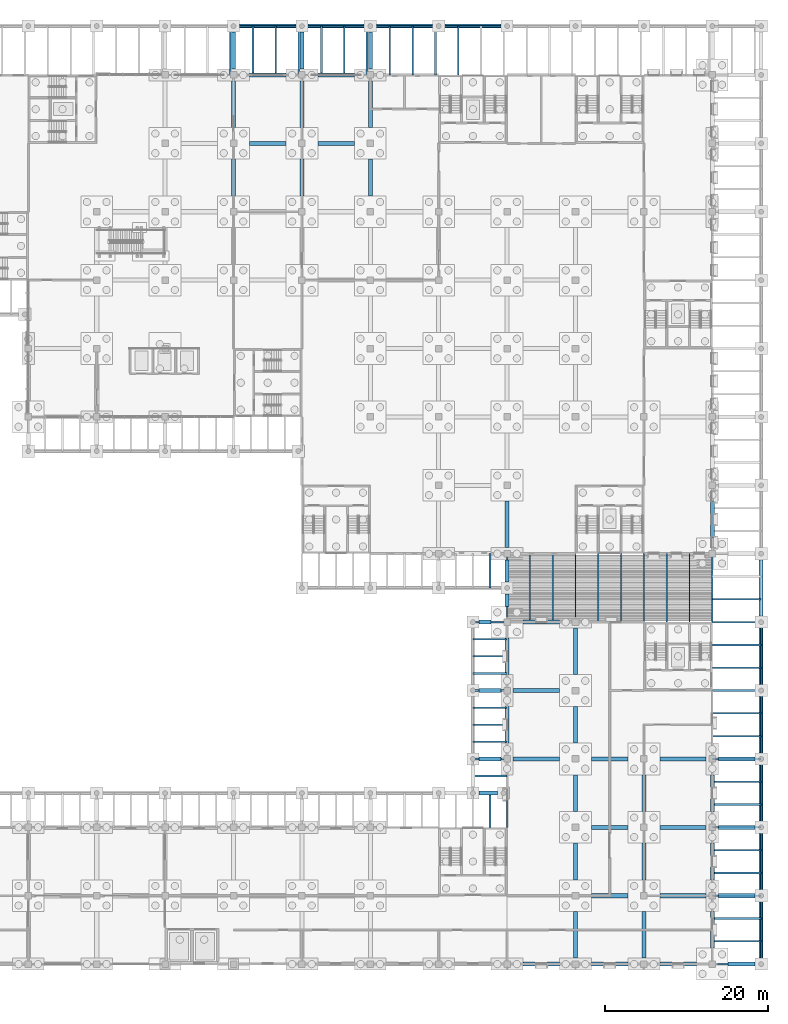
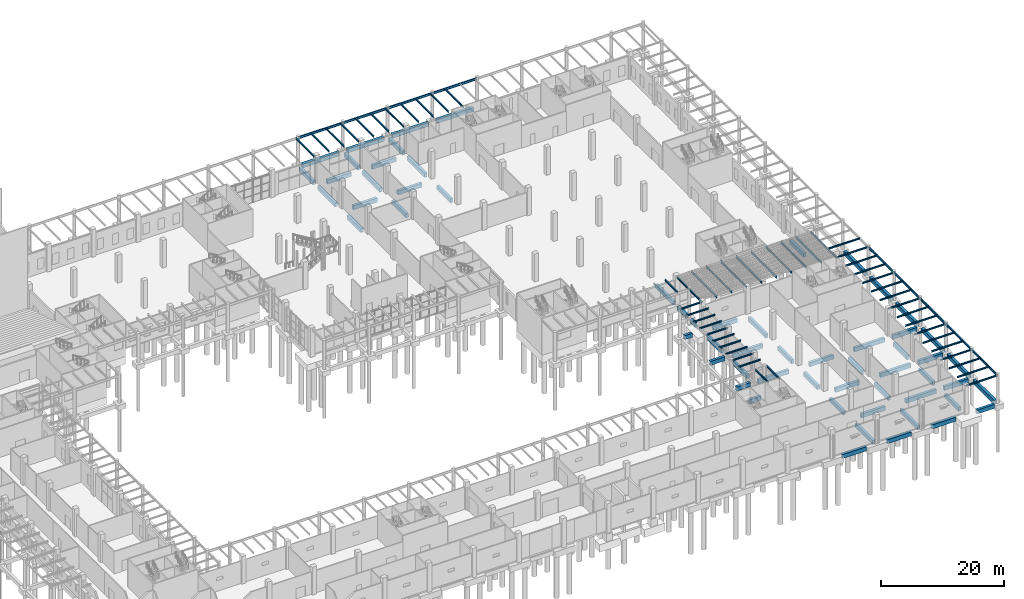
# One storey, part 19 of 82: 79 beams, 41 members.
"""IFC4 building model written with IfcOpenShell, lengths in metres."""

from ifc_helpers import new_model, si_unit, direction, frame, origin, origin_2d, place, context, subcontext, project, spatial, rectangle, i_section, extrude, material, material_profile, profile_set, type_object, element, save


model = new_model("IFC4")

# Units and contexts
model_context = context("Model", 3, precision=1e-05, world=origin(), true_north=direction((0.0, 1.0)))
body_context = subcontext(model_context, "Body", "Model", "MODEL_VIEW")
ifc_project = project(units=[si_unit("LENGTHUNIT", "METRE"), si_unit("AREAUNIT", "SQUARE_METRE"), si_unit("VOLUMEUNIT", "CUBIC_METRE"), si_unit("PLANEANGLEUNIT", "RADIAN"), si_unit("MASSUNIT", "GRAM", prefix="KILO")], contexts=[model_context])

# Site, building, storey
site_placement = place(None, origin())
site = spatial("IfcSite", under=ifc_project, at=site_placement, CompositionType="ELEMENT")
building_placement = place(site_placement, origin())
building = spatial("IfcBuilding", under=site, at=building_placement, Name="Almond Square Museum", CompositionType="ELEMENT")
storey_placement = place(building_placement, origin())
storey = spatial("IfcBuildingStorey", under=building, at=storey_placement, Name="L00", CompositionType="ELEMENT", Elevation=0.0)

# Beams
ifc_material_1 = material(Name="Structural steel S355", Category="steel")
ifc_material_profile_1 = material_profile(ifc_material_1, i_section(OverallWidth=0.19091796875, OverallDepth=0.45703125, WebThickness=0.009033203125, FlangeThickness=0.014404296875, at=origin_2d()))
ifc_profile_set_1 = profile_set([ifc_material_profile_1], Name="Structural steel S355")
beam_type_1 = type_object("IfcBeamType", Name="Eave beam W460x74", PredefinedType="BEAM", material=ifc_profile_set_1)
beam_1_placement = place(storey_placement, frame((98.39990234375, 115.199951171875, 5.021484375), z_axis=(1.0, 0.0, 0.0), x_axis=(0.0, 1.0, 0.0)))
element("IfcBeam", 1, at=beam_1_placement, inside=storey, type_object=beam_type_1, Name="ARN roof edge beam 13", PredefinedType="BEAM", context=body_context, shape_type="SweptSolid", body=[
    extrude(i_section(OverallWidth=0.19091796875, OverallDepth=0.45703125, WebThickness=0.009033203125, FlangeThickness=0.014404296875, at=origin_2d()), origin(), (0.0, 0.0, 1.0), 8.400146484375),
])
beam_2_placement = place(storey_placement, frame((106.800048828125, 115.199951171875, 5.021484375), z_axis=(1.0, 0.0, 0.0), x_axis=(0.0, 1.0, 0.0)))
element("IfcBeam", 2, at=beam_2_placement, inside=storey, type_object=beam_type_1, Name="ARN roof edge beam 14", PredefinedType="BEAM", context=body_context, shape_type="SweptSolid", body=[
    extrude(i_section(OverallWidth=0.19091796875, OverallDepth=0.45703125, WebThickness=0.009033203125, FlangeThickness=0.014404296875, at=origin_2d()), origin(), (0.0, 0.0, 1.0), 8.39990234375),
])
beam_3_placement = place(storey_placement, frame((115.199951171875, 115.199951171875, 5.021484375), z_axis=(1.0, 0.0, 0.0), x_axis=(0.0, 1.0, 0.0)))
element("IfcBeam", 3, at=beam_3_placement, inside=storey, type_object=beam_type_1, Name="ARN roof edge beam 15", PredefinedType="BEAM", context=body_context, shape_type="SweptSolid", body=[
    extrude(i_section(OverallWidth=0.19091796875, OverallDepth=0.45703125, WebThickness=0.009033203125, FlangeThickness=0.014404296875, at=origin_2d()), origin(), (0.0, 0.0, 1.0), 8.400146484375),
])
for number, where, z_axis, x_axis, name in (
    (4, (123.60009765625, 115.199951171875, 5.021484375), (1.0, 0.0, 0.0), (0.0, 1.0, 0.0), "ARN roof edge beam 16"),
    (5, (163.199951171875, 0.0, 5.021484375), (0.0, 1.0, 0.0), (-1.0, 0.0, 0.0), "ARE roof edge beam 1"),
):
    element("IfcBeam", number, at=place(storey_placement, frame(where, z_axis=z_axis, x_axis=x_axis)), inside=storey, type_object=beam_type_1, Name=name, PredefinedType="BEAM", context=body_context, shape_type="SweptSolid", body=[
        extrude(i_section(OverallWidth=0.19091796875, OverallDepth=0.45703125, WebThickness=0.009033203125, FlangeThickness=0.014404296875, at=origin_2d()), origin(), (0.0, 0.0, 1.0), 8.39990234375),
    ])
beam_4_placement = place(storey_placement, frame((163.199951171875, 8.39990234375, 5.021484375), z_axis=(0.0, 1.0, 0.0), x_axis=(-1.0, 0.0, 0.0)))
element("IfcBeam", 6, at=beam_4_placement, inside=storey, type_object=beam_type_1, Name="ARE roof edge beam 2", PredefinedType="BEAM", context=body_context, shape_type="SweptSolid", body=[
    extrude(i_section(OverallWidth=0.19091796875, OverallDepth=0.45703125, WebThickness=0.009033203125, FlangeThickness=0.014404296875, at=origin_2d()), origin(), (0.0, 0.0, 1.0), 8.400146484375),
])
beam_5_placement = place(storey_placement, frame((163.199951171875, 16.800048828125, 5.021484375), z_axis=(0.0, 1.0, 0.0), x_axis=(-1.0, 0.0, 0.0)))
element("IfcBeam", 7, at=beam_5_placement, inside=storey, type_object=beam_type_1, Name="ARE roof edge beam 3", PredefinedType="BEAM", context=body_context, shape_type="SweptSolid", body=[
    extrude(i_section(OverallWidth=0.19091796875, OverallDepth=0.45703125, WebThickness=0.009033203125, FlangeThickness=0.014404296875, at=origin_2d()), origin(), (0.0, 0.0, 1.0), 8.39990234375),
])
beam_6_placement = place(storey_placement, frame((163.199951171875, 25.199951171875, 5.021484375), z_axis=(0.0, 1.0, 0.0), x_axis=(-1.0, 0.0, 0.0)))
element("IfcBeam", 8, at=beam_6_placement, inside=storey, type_object=beam_type_1, Name="ARE roof edge beam 4", PredefinedType="BEAM", context=body_context, shape_type="SweptSolid", body=[
    extrude(i_section(OverallWidth=0.19091796875, OverallDepth=0.45703125, WebThickness=0.009033203125, FlangeThickness=0.014404296875, at=origin_2d()), origin(), (0.0, 0.0, 1.0), 8.400146484375),
])
beam_7_placement = place(storey_placement, frame((163.199951171875, 33.60009765625, 5.021484375), z_axis=(0.0, 1.0, 0.0), x_axis=(-1.0, 0.0, 0.0)))
element("IfcBeam", 9, at=beam_7_placement, inside=storey, type_object=beam_type_1, Name="ARE roof edge beam 5", PredefinedType="BEAM", context=body_context, shape_type="SweptSolid", body=[
    extrude(i_section(OverallWidth=0.19091796875, OverallDepth=0.45703125, WebThickness=0.009033203125, FlangeThickness=0.014404296875, at=origin_2d()), origin(), (0.0, 0.0, 1.0), 8.39990234375),
])
ifc_material_2 = material(Name="Concrete C35/45", Category="concrete")
ifc_material_profile_2 = material_profile(ifc_material_2, rectangle(XDim=0.5, YDim=0.800048828125, at=origin_2d()))
ifc_profile_set_2 = profile_set([ifc_material_profile_2], Name="Concrete C35/45")
beam_type_2 = type_object("IfcBeamType", Name="RC ground beam 500 x 800 C35/45", PredefinedType="BEAM", material=ifc_profile_set_2)
for number, where, z_axis, x_axis, name in (
    (10, (133.949951171875, 0.0, -0.699951171875), (1.0, 0.0, 0.0), (0.0, 1.0, 0.0), "Ground beam 011"),
    (11, (142.35009765625, 0.0, -0.699951171875), (1.0, 0.0, 0.0), (0.0, 1.0, 0.0), "Ground beam 012"),
    (12, (150.75, 0.0, -0.699951171875), (1.0, 0.0, 0.0), (0.0, 1.0, 0.0), "Ground beam 013"),
):
    element("IfcBeam", number, at=place(storey_placement, frame(where, z_axis=z_axis, x_axis=x_axis)), inside=storey, type_object=beam_type_2, Name=name, PredefinedType="BEAM", context=body_context, shape_type="SweptSolid", body=[
        extrude(rectangle(XDim=0.5, YDim=0.800048828125, at=origin_2d()), origin(), (0.0, 0.0, 1.0), 4.5),
    ])
beam_8_placement = place(storey_placement, frame((159.14990234375, 0.0, -0.699951171875), z_axis=(1.0, 0.0, 0.0), x_axis=(0.0, 1.0, 0.0)))
element("IfcBeam", 13, at=beam_8_placement, inside=storey, type_object=beam_type_2, Name="Ground beam 014", PredefinedType="BEAM", context=body_context, shape_type="SweptSolid", body=[
    extrude(rectangle(XDim=0.5, YDim=0.800048828125, at=origin_2d()), origin(), (0.0, 0.0, 1.0), 3.300048828125),
])
beam_9_placement = place(storey_placement, frame((142.35009765625, 8.39990234375, -0.699951171875), z_axis=(1.0, 0.0, 0.0), x_axis=(0.0, 1.0, 0.0)))
element("IfcBeam", 14, at=beam_9_placement, inside=storey, type_object=beam_type_2, Name="Ground beam 023", PredefinedType="BEAM", context=body_context, shape_type="SweptSolid", body=[
    extrude(rectangle(XDim=0.5, YDim=0.800048828125, at=origin_2d()), origin(), (0.0, 0.0, 1.0), 4.5),
])
beam_10_placement = place(storey_placement, frame((150.75, 8.39990234375, -0.699951171875), z_axis=(1.0, 0.0, 0.0), x_axis=(0.0, 1.0, 0.0)))
element("IfcBeam", 15, at=beam_10_placement, inside=storey, type_object=beam_type_2, Name="Ground beam 024", PredefinedType="BEAM", context=body_context, shape_type="SweptSolid", body=[
    extrude(rectangle(XDim=0.5, YDim=0.800048828125, at=origin_2d()), origin(), (0.0, 0.0, 1.0), 5.699951171875),
])
for number, where, z_axis, x_axis, name in (
    (16, (157.949951171875, 8.39990234375, -0.699951171875), (1.0, 0.0, 0.0), (0.0, 1.0, 0.0), "Ground beam 025"),
    (17, (142.35009765625, 16.800048828125, -0.699951171875), (1.0, 0.0, 0.0), (0.0, 1.0, 0.0), "Ground beam 034"),
):
    element("IfcBeam", number, at=place(storey_placement, frame(where, z_axis=z_axis, x_axis=x_axis)), inside=storey, type_object=beam_type_2, Name=name, PredefinedType="BEAM", context=body_context, shape_type="SweptSolid", body=[
        extrude(rectangle(XDim=0.5, YDim=0.800048828125, at=origin_2d()), origin(), (0.0, 0.0, 1.0), 4.5),
    ])
beam_11_placement = place(storey_placement, frame((150.75, 16.800048828125, -0.699951171875), z_axis=(1.0, 0.0, 0.0), x_axis=(0.0, 1.0, 0.0)))
element("IfcBeam", 18, at=beam_11_placement, inside=storey, type_object=beam_type_2, Name="Ground beam 035", PredefinedType="BEAM", context=body_context, shape_type="SweptSolid", body=[
    extrude(rectangle(XDim=0.5, YDim=0.800048828125, at=origin_2d()), origin(), (0.0, 0.0, 1.0), 5.699951171875),
])
beam_12_placement = place(storey_placement, frame((157.949951171875, 16.800048828125, -0.699951171875), z_axis=(1.0, 0.0, 0.0), x_axis=(0.0, 1.0, 0.0)))
element("IfcBeam", 19, at=beam_12_placement, inside=storey, type_object=beam_type_2, Name="Ground beam 036", PredefinedType="BEAM", context=body_context, shape_type="SweptSolid", body=[
    extrude(rectangle(XDim=0.5, YDim=0.800048828125, at=origin_2d()), origin(), (0.0, 0.0, 1.0), 4.5),
])
beam_13_placement = place(storey_placement, frame((128.550048828125, 21.0, -0.699951171875), z_axis=(1.0, 0.0, 0.0), x_axis=(0.0, 1.0, 0.0)))
element("IfcBeam", 20, at=beam_13_placement, inside=storey, type_object=beam_type_2, Name="Ground beam 050", PredefinedType="BEAM", context=body_context, shape_type="SweptSolid", body=[
    extrude(rectangle(XDim=0.5, YDim=0.800048828125, at=origin_2d()), origin(), (0.0, 0.0, 1.0), 2.25),
])
beam_14_placement = place(storey_placement, frame((128.550048828125, 25.199951171875, -0.699951171875), z_axis=(1.0, 0.0, 0.0), x_axis=(0.0, 1.0, 0.0)))
element("IfcBeam", 21, at=beam_14_placement, inside=storey, type_object=beam_type_2, Name="Ground beam 052", PredefinedType="BEAM", context=body_context, shape_type="SweptSolid", body=[
    extrude(rectangle(XDim=0.5, YDim=0.800048828125, at=origin_2d()), origin(), (0.0, 0.0, 1.0), 2.699951171875),
])
beam_15_placement = place(storey_placement, frame((132.75, 25.199951171875, -0.699951171875), z_axis=(1.0, 0.0, 0.0), x_axis=(0.0, 1.0, 0.0)))
element("IfcBeam", 22, at=beam_15_placement, inside=storey, type_object=beam_type_2, Name="Ground beam 053", PredefinedType="BEAM", context=body_context, shape_type="SweptSolid", body=[
    extrude(rectangle(XDim=0.5, YDim=0.800048828125, at=origin_2d()), origin(), (0.0, 0.0, 1.0), 5.699951171875),
])
beam_16_placement = place(storey_placement, frame((142.35009765625, 25.199951171875, -0.699951171875), z_axis=(1.0, 0.0, 0.0), x_axis=(0.0, 1.0, 0.0)))
element("IfcBeam", 23, at=beam_16_placement, inside=storey, type_object=beam_type_2, Name="Ground beam 054", PredefinedType="BEAM", context=body_context, shape_type="SweptSolid", body=[
    extrude(rectangle(XDim=0.5, YDim=0.800048828125, at=origin_2d()), origin(), (0.0, 0.0, 1.0), 4.5),
])
beam_17_placement = place(storey_placement, frame((150.75, 25.199951171875, -0.699951171875), z_axis=(1.0, 0.0, 0.0), x_axis=(0.0, 1.0, 0.0)))
element("IfcBeam", 24, at=beam_17_placement, inside=storey, type_object=beam_type_2, Name="Ground beam 055", PredefinedType="BEAM", context=body_context, shape_type="SweptSolid", body=[
    extrude(rectangle(XDim=0.5, YDim=0.800048828125, at=origin_2d()), origin(), (0.0, 0.0, 1.0), 5.699951171875),
])
beam_18_placement = place(storey_placement, frame((157.949951171875, 25.199951171875, -0.699951171875), z_axis=(1.0, 0.0, 0.0), x_axis=(0.0, 1.0, 0.0)))
element("IfcBeam", 25, at=beam_18_placement, inside=storey, type_object=beam_type_2, Name="Ground beam 056", PredefinedType="BEAM", context=body_context, shape_type="SweptSolid", body=[
    extrude(rectangle(XDim=0.5, YDim=0.800048828125, at=origin_2d()), origin(), (0.0, 0.0, 1.0), 4.5),
])
beam_19_placement = place(storey_placement, frame((128.550048828125, 33.60009765625, -0.699951171875), z_axis=(1.0, 0.0, 0.0), x_axis=(0.0, 1.0, 0.0)))
element("IfcBeam", 26, at=beam_19_placement, inside=storey, type_object=beam_type_2, Name="Ground beam 061", PredefinedType="BEAM", context=body_context, shape_type="SweptSolid", body=[
    extrude(rectangle(XDim=0.5, YDim=0.800048828125, at=origin_2d()), origin(), (0.0, 0.0, 1.0), 2.699951171875),
])
beam_20_placement = place(storey_placement, frame((132.75, 33.60009765625, -0.699951171875), z_axis=(1.0, 0.0, 0.0), x_axis=(0.0, 1.0, 0.0)))
element("IfcBeam", 27, at=beam_20_placement, inside=storey, type_object=beam_type_2, Name="Ground beam 062", PredefinedType="BEAM", context=body_context, shape_type="SweptSolid", body=[
    extrude(rectangle(XDim=0.5, YDim=0.800048828125, at=origin_2d()), origin(), (0.0, 0.0, 1.0), 5.699951171875),
])
beam_21_placement = place(storey_placement, frame((128.550048828125, 42.0, -0.699951171875), z_axis=(1.0, 0.0, 0.0), x_axis=(0.0, 1.0, 0.0)))
element("IfcBeam", 28, at=beam_21_placement, inside=storey, type_object=beam_type_2, Name="Ground beam 067", PredefinedType="BEAM", context=body_context, shape_type="SweptSolid", body=[
    extrude(rectangle(XDim=0.5, YDim=0.800048828125, at=origin_2d()), origin(), (0.0, 0.0, 1.0), 1.5),
])
for number, where, z_axis, x_axis, name in (
    (29, (133.949951171875, 42.0, -0.699951171875), (1.0, 0.0, 0.0), (0.0, 1.0, 0.0), "Ground beam 068"),
    (30, (100.35009765625, 100.800048828125, -0.699951171875), (1.0, 0.0, 0.0), (0.0, 1.0, 0.0), "Ground beam 129"),
    (31, (108.75, 100.800048828125, -0.699951171875), (1.0, 0.0, 0.0), (0.0, 1.0, 0.0), "Ground beam 130"),
    (32, (100.35009765625, 109.199951171875, -0.699951171875), (1.0, 0.0, 0.0), (0.0, 1.0, 0.0), "Ground beam 141"),
    (33, (108.75, 109.199951171875, -0.699951171875), (1.0, 0.0, 0.0), (0.0, 1.0, 0.0), "Ground beam 142"),
):
    element("IfcBeam", number, at=place(storey_placement, frame(where, z_axis=z_axis, x_axis=x_axis)), inside=storey, type_object=beam_type_2, Name=name, PredefinedType="BEAM", context=body_context, shape_type="SweptSolid", body=[
        extrude(rectangle(XDim=0.5, YDim=0.800048828125, at=origin_2d()), origin(), (0.0, 0.0, 1.0), 4.5),
    ])
beam_22_placement = place(storey_placement, frame((99.14990234375, 115.199951171875, -0.699951171875), z_axis=(1.0, 0.0, 0.0), x_axis=(0.0, 1.0, 0.0)))
element("IfcBeam", 34, at=beam_22_placement, inside=storey, type_object=beam_type_2, Name="Ground beam 156", PredefinedType="BEAM", context=body_context, shape_type="SweptSolid", body=[
    extrude(rectangle(XDim=0.5, YDim=0.800048828125, at=origin_2d()), origin(), (0.0, 0.0, 1.0), 6.900146484375),
])
beam_23_placement = place(storey_placement, frame((107.550048828125, 115.199951171875, -0.699951171875), z_axis=(1.0, 0.0, 0.0), x_axis=(0.0, 1.0, 0.0)))
element("IfcBeam", 35, at=beam_23_placement, inside=storey, type_object=beam_type_2, Name="Ground beam 157", PredefinedType="BEAM", context=body_context, shape_type="SweptSolid", body=[
    extrude(rectangle(XDim=0.5, YDim=0.800048828125, at=origin_2d()), origin(), (0.0, 0.0, 1.0), 6.89990234375),
])
beam_24_placement = place(storey_placement, frame((115.949951171875, 115.199951171875, -0.699951171875), z_axis=(1.0, 0.0, 0.0), x_axis=(0.0, 1.0, 0.0)))
element("IfcBeam", 36, at=beam_24_placement, inside=storey, type_object=beam_type_2, Name="Ground beam 158", PredefinedType="BEAM", context=body_context, shape_type="SweptSolid", body=[
    extrude(rectangle(XDim=0.5, YDim=0.800048828125, at=origin_2d()), origin(), (0.0, 0.0, 1.0), 6.900146484375),
])
beam_25_placement = place(storey_placement, frame((124.35009765625, 115.199951171875, -0.699951171875), z_axis=(1.0, 0.0, 0.0), x_axis=(0.0, 1.0, 0.0)))
element("IfcBeam", 37, at=beam_25_placement, inside=storey, type_object=beam_type_2, Name="Ground beam 159", PredefinedType="BEAM", context=body_context, shape_type="SweptSolid", body=[
    extrude(rectangle(XDim=0.5, YDim=0.800048828125, at=origin_2d()), origin(), (0.0, 0.0, 1.0), 6.89990234375),
])
beam_26_placement = place(storey_placement, frame((98.39990234375, 94.35009765625, -0.699951171875), z_axis=(0.0, 1.0, 0.0), x_axis=(-1.0, 0.0, 0.0)))
element("IfcBeam", 38, at=beam_26_placement, inside=storey, type_object=beam_type_2, Name="Ground beam 248", PredefinedType="BEAM", context=body_context, shape_type="SweptSolid", body=[
    extrude(rectangle(XDim=0.5, YDim=0.800048828125, at=origin_2d()), origin(), (0.0, 0.0, 1.0), 4.5),
])
beam_27_placement = place(storey_placement, frame((98.39990234375, 102.75, -0.699951171875), z_axis=(0.0, 1.0, 0.0), x_axis=(-1.0, 0.0, 0.0)))
element("IfcBeam", 39, at=beam_27_placement, inside=storey, type_object=beam_type_2, Name="Ground beam 249", PredefinedType="BEAM", context=body_context, shape_type="SweptSolid", body=[
    extrude(rectangle(XDim=0.5, YDim=0.800048828125, at=origin_2d()), origin(), (0.0, 0.0, 1.0), 5.699951171875),
])
for number, where, z_axis, x_axis, name in (
    (40, (98.39990234375, 109.949951171875, -0.699951171875), (0.0, 1.0, 0.0), (-1.0, 0.0, 0.0), "Ground beam 250"),
    (41, (106.800048828125, 94.35009765625, -0.699951171875), (0.0, 1.0, 0.0), (-1.0, 0.0, 0.0), "Ground beam 255"),
):
    element("IfcBeam", number, at=place(storey_placement, frame(where, z_axis=z_axis, x_axis=x_axis)), inside=storey, type_object=beam_type_2, Name=name, PredefinedType="BEAM", context=body_context, shape_type="SweptSolid", body=[
        extrude(rectangle(XDim=0.5, YDim=0.800048828125, at=origin_2d()), origin(), (0.0, 0.0, 1.0), 4.5),
    ])
beam_28_placement = place(storey_placement, frame((106.800048828125, 102.75, -0.699951171875), z_axis=(0.0, 1.0, 0.0), x_axis=(-1.0, 0.0, 0.0)))
element("IfcBeam", 42, at=beam_28_placement, inside=storey, type_object=beam_type_2, Name="Ground beam 256", PredefinedType="BEAM", context=body_context, shape_type="SweptSolid", body=[
    extrude(rectangle(XDim=0.5, YDim=0.800048828125, at=origin_2d()), origin(), (0.0, 0.0, 1.0), 5.699951171875),
])
for number, where, z_axis, x_axis, name in (
    (43, (106.800048828125, 109.949951171875, -0.699951171875), (0.0, 1.0, 0.0), (-1.0, 0.0, 0.0), "Ground beam 257"),
    (44, (115.199951171875, 94.35009765625, -0.699951171875), (0.0, 1.0, 0.0), (-1.0, 0.0, 0.0), "Ground beam 264"),
):
    element("IfcBeam", number, at=place(storey_placement, frame(where, z_axis=z_axis, x_axis=x_axis)), inside=storey, type_object=beam_type_2, Name=name, PredefinedType="BEAM", context=body_context, shape_type="SweptSolid", body=[
        extrude(rectangle(XDim=0.5, YDim=0.800048828125, at=origin_2d()), origin(), (0.0, 0.0, 1.0), 4.5),
    ])
beam_29_placement = place(storey_placement, frame((115.199951171875, 102.75, -0.699951171875), z_axis=(0.0, 1.0, 0.0), x_axis=(-1.0, 0.0, 0.0)))
element("IfcBeam", 45, at=beam_29_placement, inside=storey, type_object=beam_type_2, Name="Ground beam 265", PredefinedType="BEAM", context=body_context, shape_type="SweptSolid", body=[
    extrude(rectangle(XDim=0.5, YDim=0.800048828125, at=origin_2d()), origin(), (0.0, 0.0, 1.0), 5.699951171875),
])
for number, where, z_axis, x_axis, name in (
    (46, (115.199951171875, 109.949951171875, -0.699951171875), (0.0, 1.0, 0.0), (-1.0, 0.0, 0.0), "Ground beam 266"),
    (47, (132.0, 27.14990234375, -0.699951171875), (0.0, 1.0, 0.0), (-1.0, 0.0, 0.0), "Ground beam 276"),
    (48, (132.0, 35.550048828125, -0.699951171875), (0.0, 1.0, 0.0), (-1.0, 0.0, 0.0), "Ground beam 277"),
):
    element("IfcBeam", number, at=place(storey_placement, frame(where, z_axis=z_axis, x_axis=x_axis)), inside=storey, type_object=beam_type_2, Name=name, PredefinedType="BEAM", context=body_context, shape_type="SweptSolid", body=[
        extrude(rectangle(XDim=0.5, YDim=0.800048828125, at=origin_2d()), origin(), (0.0, 0.0, 1.0), 4.5),
    ])
beam_30_placement = place(storey_placement, frame((132.0, 43.949951171875, -0.699951171875), z_axis=(0.0, 1.0, 0.0), x_axis=(-1.0, 0.0, 0.0)))
element("IfcBeam", 49, at=beam_30_placement, inside=storey, type_object=beam_type_2, Name="Ground beam 278", PredefinedType="BEAM", context=body_context, shape_type="SweptSolid", body=[
    extrude(rectangle(XDim=0.5, YDim=0.800048828125, at=origin_2d()), origin(), (0.0, 0.0, 1.0), 1.5),
])
beam_31_placement = place(storey_placement, frame((132.0, 46.949951171875, -0.699951171875), z_axis=(0.0, 1.0, 0.0), x_axis=(-1.0, 0.0, 0.0)))
element("IfcBeam", 50, at=beam_31_placement, inside=storey, type_object=beam_type_2, Name="Ground beam 279", PredefinedType="BEAM", context=body_context, shape_type="SweptSolid", body=[
    extrude(rectangle(XDim=0.5, YDim=0.800048828125, at=origin_2d()), origin(), (0.0, 0.0, 1.0), 2.699951171875),
])
beam_32_placement = place(storey_placement, frame((132.0, 51.14990234375, -0.699951171875), z_axis=(0.0, 1.0, 0.0), x_axis=(-1.0, 0.0, 0.0)))
element("IfcBeam", 51, at=beam_32_placement, inside=storey, type_object=beam_type_2, Name="Ground beam 280", PredefinedType="BEAM", context=body_context, shape_type="SweptSolid", body=[
    extrude(rectangle(XDim=0.5, YDim=0.800048828125, at=origin_2d()), origin(), (0.0, 0.0, 1.0), 5.7001953125),
])
beam_33_placement = place(storey_placement, frame((140.39990234375, 0.75, -0.699951171875), z_axis=(0.0, 1.0, 0.0), x_axis=(-1.0, 0.0, 0.0)))
element("IfcBeam", 52, at=beam_33_placement, inside=storey, type_object=beam_type_2, Name="Ground beam 285", PredefinedType="BEAM", context=body_context, shape_type="SweptSolid", body=[
    extrude(rectangle(XDim=0.5, YDim=0.800048828125, at=origin_2d()), origin(), (0.0, 0.0, 1.0), 5.699951171875),
])
for number, where, z_axis, x_axis, name in (
    (53, (140.39990234375, 10.35009765625, -0.699951171875), (0.0, 1.0, 0.0), (-1.0, 0.0, 0.0), "Ground beam 286"),
    (54, (140.39990234375, 18.75, -0.699951171875), (0.0, 1.0, 0.0), (-1.0, 0.0, 0.0), "Ground beam 287"),
    (55, (140.39990234375, 27.14990234375, -0.699951171875), (0.0, 1.0, 0.0), (-1.0, 0.0, 0.0), "Ground beam 288"),
):
    element("IfcBeam", number, at=place(storey_placement, frame(where, z_axis=z_axis, x_axis=x_axis)), inside=storey, type_object=beam_type_2, Name=name, PredefinedType="BEAM", context=body_context, shape_type="SweptSolid", body=[
        extrude(rectangle(XDim=0.5, YDim=0.800048828125, at=origin_2d()), origin(), (0.0, 0.0, 1.0), 4.5),
    ])
for number, where, z_axis, x_axis, name in (
    (56, (140.39990234375, 35.550048828125, -0.699951171875), (0.0, 1.0, 0.0), (-1.0, 0.0, 0.0), "Ground beam 289"),
    (57, (148.800048828125, 0.75, -0.699951171875), (0.0, 1.0, 0.0), (-1.0, 0.0, 0.0), "Ground beam 293"),
):
    element("IfcBeam", number, at=place(storey_placement, frame(where, z_axis=z_axis, x_axis=x_axis)), inside=storey, type_object=beam_type_2, Name=name, PredefinedType="BEAM", context=body_context, shape_type="SweptSolid", body=[
        extrude(rectangle(XDim=0.5, YDim=0.800048828125, at=origin_2d()), origin(), (0.0, 0.0, 1.0), 5.699951171875),
    ])
for number, where, z_axis, x_axis, name in (
    (58, (148.800048828125, 10.35009765625, -0.699951171875), (0.0, 1.0, 0.0), (-1.0, 0.0, 0.0), "Ground beam 294"),
    (59, (148.800048828125, 18.75, -0.699951171875), (0.0, 1.0, 0.0), (-1.0, 0.0, 0.0), "Ground beam 295"),
    (60, (157.199951171875, 1.949951171875, -0.699951171875), (0.0, 1.0, 0.0), (-1.0, 0.0, 0.0), "Ground beam 296"),
    (61, (157.199951171875, 10.35009765625, -0.699951171875), (0.0, 1.0, 0.0), (-1.0, 0.0, 0.0), "Ground beam 297"),
    (62, (157.199951171875, 18.75, -0.699951171875), (0.0, 1.0, 0.0), (-1.0, 0.0, 0.0), "Ground beam 298"),
    (63, (157.199951171875, 52.35009765625, -0.699951171875), (0.0, 1.0, 0.0), (-1.0, 0.0, 0.0), "Ground beam 299"),
):
    element("IfcBeam", number, at=place(storey_placement, frame(where, z_axis=z_axis, x_axis=x_axis)), inside=storey, type_object=beam_type_2, Name=name, PredefinedType="BEAM", context=body_context, shape_type="SweptSolid", body=[
        extrude(rectangle(XDim=0.5, YDim=0.800048828125, at=origin_2d()), origin(), (0.0, 0.0, 1.0), 4.5),
    ])
beam_34_placement = place(storey_placement, frame((163.199951171875, 0.75, -0.699951171875), z_axis=(0.0, 1.0, 0.0), x_axis=(-1.0, 0.0, 0.0)))
element("IfcBeam", 64, at=beam_34_placement, inside=storey, type_object=beam_type_2, Name="Ground beam 304", PredefinedType="BEAM", context=body_context, shape_type="SweptSolid", body=[
    extrude(rectangle(XDim=0.5, YDim=0.800048828125, at=origin_2d()), origin(), (0.0, 0.0, 1.0), 6.89990234375),
])
beam_35_placement = place(storey_placement, frame((163.199951171875, 9.14990234375, -0.699951171875), z_axis=(0.0, 1.0, 0.0), x_axis=(-1.0, 0.0, 0.0)))
element("IfcBeam", 65, at=beam_35_placement, inside=storey, type_object=beam_type_2, Name="Ground beam 305", PredefinedType="BEAM", context=body_context, shape_type="SweptSolid", body=[
    extrude(rectangle(XDim=0.5, YDim=0.800048828125, at=origin_2d()), origin(), (0.0, 0.0, 1.0), 6.900146484375),
])
beam_36_placement = place(storey_placement, frame((163.199951171875, 17.550048828125, -0.699951171875), z_axis=(0.0, 1.0, 0.0), x_axis=(-1.0, 0.0, 0.0)))
element("IfcBeam", 66, at=beam_36_placement, inside=storey, type_object=beam_type_2, Name="Ground beam 306", PredefinedType="BEAM", context=body_context, shape_type="SweptSolid", body=[
    extrude(rectangle(XDim=0.5, YDim=0.800048828125, at=origin_2d()), origin(), (0.0, 0.0, 1.0), 6.89990234375),
])
beam_37_placement = place(storey_placement, frame((163.199951171875, 25.949951171875, -0.699951171875), z_axis=(0.0, 1.0, 0.0), x_axis=(-1.0, 0.0, 0.0)))
element("IfcBeam", 67, at=beam_37_placement, inside=storey, type_object=beam_type_2, Name="Ground beam 307", PredefinedType="BEAM", context=body_context, shape_type="SweptSolid", body=[
    extrude(rectangle(XDim=0.5, YDim=0.800048828125, at=origin_2d()), origin(), (0.0, 0.0, 1.0), 6.900146484375),
])
for number, where, z_axis, x_axis, name in (
    (68, (163.199951171875, 34.35009765625, -0.699951171875), (0.0, 1.0, 0.0), (-1.0, 0.0, 0.0), "Ground beam 308"),
    (69, (163.199951171875, 42.75, -0.699951171875), (0.0, 1.0, 0.0), (-1.0, 0.0, 0.0), "Ground beam 309"),
):
    element("IfcBeam", number, at=place(storey_placement, frame(where, z_axis=z_axis, x_axis=x_axis)), inside=storey, type_object=beam_type_2, Name=name, PredefinedType="BEAM", context=body_context, shape_type="SweptSolid", body=[
        extrude(rectangle(XDim=0.5, YDim=0.800048828125, at=origin_2d()), origin(), (0.0, 0.0, 1.0), 6.89990234375),
    ])
ifc_material_3 = material(Name="Structural steel S355", Category="steel")
ifc_material_profile_3 = material_profile(ifc_material_3, i_section(OverallWidth=0.177978515625, OverallDepth=0.406005859375, WebThickness=0.0078125, FlangeThickness=0.0126953125, at=origin_2d()))
ifc_profile_set_3 = profile_set([ifc_material_profile_3], Name="Structural steel S355")
beam_type_3 = type_object("IfcBeamType", Name="Roof beam W410x60", PredefinedType="BEAM", material=ifc_profile_set_3)
for number, where, z_axis, x_axis, name in (
    (70, (132.0, 42.0, 5.047119140625), (0.0, 1.0, 0.0), (-1.0, 0.0, 0.0), "Passage canopy beam 1"),
    (71, (134.800048828125, 42.0, 5.047119140625), (0.0, 1.0, 0.0), (-1.0, 0.0, 0.0), "Passage canopy beam 2"),
    (72, (137.60009765625, 42.0, 5.047119140625), (0.0, 1.0, 0.0), (-1.0, 0.0, 0.0), "Passage canopy beam 3"),
    (73, (140.39990234375, 42.0, 5.047119140625), (0.0, 1.0, 0.0), (-1.0, 0.0, 0.0), "Passage canopy beam 4"),
    (74, (143.199951171875, 42.0, 5.047119140625), (0.0, 1.0, 0.0), (-1.0, 0.0, 0.0), "Passage canopy beam 5"),
    (75, (146.0, 42.0, 5.047119140625), (0.0, 1.0, 0.0), (-1.0, 0.0, 0.0), "Passage canopy beam 6"),
    (76, (148.800048828125, 42.0, 5.047119140625), (0.0, 1.0, 0.0), (-1.0, 0.0, 0.0), "Passage canopy beam 7"),
    (77, (151.60009765625, 42.0, 5.047119140625), (0.0, 1.0, 0.0), (-1.0, 0.0, 0.0), "Passage canopy beam 8"),
    (78, (154.39990234375, 42.0, 5.047119140625), (0.0, 1.0, 0.0), (-1.0, 0.0, 0.0), "Passage canopy beam 9"),
    (79, (157.199951171875, 42.0, 5.047119140625), (0.0, 1.0, 0.0), (-1.0, 0.0, 0.0), "Passage canopy beam 10"),
):
    element("IfcBeam", number, at=place(storey_placement, frame(where, z_axis=z_axis, x_axis=x_axis)), inside=storey, type_object=beam_type_3, Name=name, PredefinedType="BEAM", context=body_context, shape_type="SweptSolid", body=[
        extrude(i_section(OverallWidth=0.177978515625, OverallDepth=0.406005859375, WebThickness=0.0078125, FlangeThickness=0.0126953125, at=origin_2d()), origin(), (0.0, 0.0, 1.0), 8.39990234375),
    ])

# Members
ifc_material_4 = material(Name="Structural steel S355", Category="steel")
ifc_material_profile_4 = material_profile(ifc_material_4, i_section(OverallWidth=0.202880859375, OverallDepth=0.302001953125, WebThickness=0.007568359375, FlangeThickness=0.01318359375, at=origin_2d()))
ifc_profile_set_4 = profile_set([ifc_material_profile_4], Name="Structural steel S355")
member_type = type_object("IfcMemberType", Name="Steel joist W310x60", PredefinedType="MEMBER", material=ifc_profile_set_4)
for number, where, z_axis, x_axis, name in (
    (80, (98.0, 109.199951171875, 5.09912109375), (0.0, 1.0, 0.0), (-1.0, 0.0, 0.0), "ARN roof joist 36"),
    (81, (100.800048828125, 109.199951171875, 5.09912109375), (0.0, 1.0, 0.0), (-1.0, 0.0, 0.0), "ARN roof joist 37"),
    (82, (103.60009765625, 109.199951171875, 5.09912109375), (0.0, 1.0, 0.0), (-1.0, 0.0, 0.0), "ARN roof joist 38"),
    (83, (106.39990234375, 109.199951171875, 5.09912109375), (0.0, 1.0, 0.0), (-1.0, 0.0, 0.0), "ARN roof joist 39"),
    (84, (109.199951171875, 109.199951171875, 5.09912109375), (0.0, 1.0, 0.0), (-1.0, 0.0, 0.0), "ARN roof joist 40"),
    (85, (112.0, 109.199951171875, 5.09912109375), (0.0, 1.0, 0.0), (-1.0, 0.0, 0.0), "ARN roof joist 41"),
    (86, (114.800048828125, 109.199951171875, 5.09912109375), (0.0, 1.0, 0.0), (-1.0, 0.0, 0.0), "ARN roof joist 42"),
    (87, (117.60009765625, 109.199951171875, 5.09912109375), (0.0, 1.0, 0.0), (-1.0, 0.0, 0.0), "ARN roof joist 43"),
    (88, (120.39990234375, 109.199951171875, 5.09912109375), (0.0, 1.0, 0.0), (-1.0, 0.0, 0.0), "ARN roof joist 44"),
    (89, (123.199951171875, 109.199951171875, 5.09912109375), (0.0, 1.0, 0.0), (-1.0, 0.0, 0.0), "ARN roof joist 45"),
    (90, (126.0, 109.199951171875, 5.09912109375), (0.0, 1.0, 0.0), (-1.0, 0.0, 0.0), "ARN roof joist 46"),
    (91, (157.199951171875, 0.0, 5.09912109375), (1.0, 0.0, 0.0), (0.0, 1.0, 0.0), "ARE roof joist 1"),
    (92, (157.199951171875, 2.800048828125, 5.09912109375), (1.0, 0.0, 0.0), (0.0, 1.0, 0.0), "ARE roof joist 2"),
    (93, (157.199951171875, 5.60009765625, 5.09912109375), (1.0, 0.0, 0.0), (0.0, 1.0, 0.0), "ARE roof joist 3"),
    (94, (157.199951171875, 8.39990234375, 5.09912109375), (1.0, 0.0, 0.0), (0.0, 1.0, 0.0), "ARE roof joist 4"),
    (95, (157.199951171875, 11.199951171875, 5.09912109375), (1.0, 0.0, 0.0), (0.0, 1.0, 0.0), "ARE roof joist 5"),
    (96, (157.199951171875, 14.0, 5.09912109375), (1.0, 0.0, 0.0), (0.0, 1.0, 0.0), "ARE roof joist 6"),
    (97, (157.199951171875, 16.800048828125, 5.09912109375), (1.0, 0.0, 0.0), (0.0, 1.0, 0.0), "ARE roof joist 7"),
    (98, (157.199951171875, 19.60009765625, 5.09912109375), (1.0, 0.0, 0.0), (0.0, 1.0, 0.0), "ARE roof joist 8"),
    (99, (157.199951171875, 22.39990234375, 5.09912109375), (1.0, 0.0, 0.0), (0.0, 1.0, 0.0), "ARE roof joist 9"),
    (100, (157.199951171875, 25.199951171875, 5.09912109375), (1.0, 0.0, 0.0), (0.0, 1.0, 0.0), "ARE roof joist 10"),
    (101, (157.199951171875, 28.0, 5.09912109375), (1.0, 0.0, 0.0), (0.0, 1.0, 0.0), "ARE roof joist 11"),
    (102, (157.199951171875, 30.800048828125, 5.09912109375), (1.0, 0.0, 0.0), (0.0, 1.0, 0.0), "ARE roof joist 12"),
    (103, (157.199951171875, 33.60009765625, 5.09912109375), (1.0, 0.0, 0.0), (0.0, 1.0, 0.0), "ARE roof joist 13"),
    (104, (157.199951171875, 36.39990234375, 5.09912109375), (1.0, 0.0, 0.0), (0.0, 1.0, 0.0), "ARE roof joist 14"),
    (105, (157.199951171875, 39.199951171875, 5.09912109375), (1.0, 0.0, 0.0), (0.0, 1.0, 0.0), "ARE roof joist 15"),
    (106, (157.199951171875, 42.0, 5.09912109375), (1.0, 0.0, 0.0), (0.0, 1.0, 0.0), "ARE roof joist 16"),
    (107, (157.199951171875, 44.800048828125, 5.09912109375), (1.0, 0.0, 0.0), (0.0, 1.0, 0.0), "ARE roof joist 17"),
):
    element("IfcMember", number, at=place(storey_placement, frame(where, z_axis=z_axis, x_axis=x_axis)), inside=storey, type_object=member_type, Name=name, PredefinedType="MEMBER", context=body_context, shape_type="SweptSolid", body=[
        extrude(i_section(OverallWidth=0.202880859375, OverallDepth=0.302001953125, WebThickness=0.007568359375, FlangeThickness=0.01318359375, at=origin_2d()), origin(), (0.0, 0.0, 1.0), 6.0),
    ])
for number, where, z_axis, x_axis, name in (
    (108, (129.89990234375, 16.800048828125, 5.09912109375), (0.0, 1.0, 0.0), (-1.0, 0.0, 0.0), "LG-V5S roof joist 50"),
    (109, (132.0, 16.800048828125, 5.09912109375), (0.0, 1.0, 0.0), (-1.0, 0.0, 0.0), "LG-V5S roof joist 51"),
    (110, (129.89990234375, 50.39990234375, 5.09912109375), (0.0, -1.0, 0.0), (1.0, 0.0, 0.0), "LG-V1 roof joist 12"),
    (111, (132.0, 23.10009765625, 5.09912109375), (-1.0, 0.0, 0.0), (0.0, -1.0, 0.0), "LG-V5E roof joist 2"),
    (112, (132.0, 25.199951171875, 5.09912109375), (-1.0, 0.0, 0.0), (0.0, -1.0, 0.0), "LG-V5E roof joist 3"),
    (113, (132.0, 27.300048828125, 5.09912109375), (-1.0, 0.0, 0.0), (0.0, -1.0, 0.0), "LG-V5E roof joist 4"),
    (114, (132.0, 29.39990234375, 5.09912109375), (-1.0, 0.0, 0.0), (0.0, -1.0, 0.0), "LG-V5E roof joist 5"),
    (115, (132.0, 31.5, 5.09912109375), (-1.0, 0.0, 0.0), (0.0, -1.0, 0.0), "LG-V5E roof joist 6"),
    (116, (132.0, 33.60009765625, 5.09912109375), (-1.0, 0.0, 0.0), (0.0, -1.0, 0.0), "LG-V5E roof joist 7"),
    (117, (132.0, 35.699951171875, 5.09912109375), (-1.0, 0.0, 0.0), (0.0, -1.0, 0.0), "LG-V5E roof joist 8"),
    (118, (132.0, 37.800048828125, 5.09912109375), (-1.0, 0.0, 0.0), (0.0, -1.0, 0.0), "LG-V5E roof joist 9"),
    (119, (132.0, 39.89990234375, 5.09912109375), (-1.0, 0.0, 0.0), (0.0, -1.0, 0.0), "LG-V5E roof joist 10"),
    (120, (132.0, 42.0, 5.09912109375), (-1.0, 0.0, 0.0), (0.0, -1.0, 0.0), "LG-V5E roof joist 11"),
):
    element("IfcMember", number, at=place(storey_placement, frame(where, z_axis=z_axis, x_axis=x_axis)), inside=storey, type_object=member_type, Name=name, PredefinedType="MEMBER", context=body_context, shape_type="SweptSolid", body=[
        extrude(i_section(OverallWidth=0.202880859375, OverallDepth=0.302001953125, WebThickness=0.007568359375, FlangeThickness=0.01318359375, at=origin_2d()), origin(), (0.0, 0.0, 1.0), 4.199951171875),
    ])

save(model, "model.ifc")
